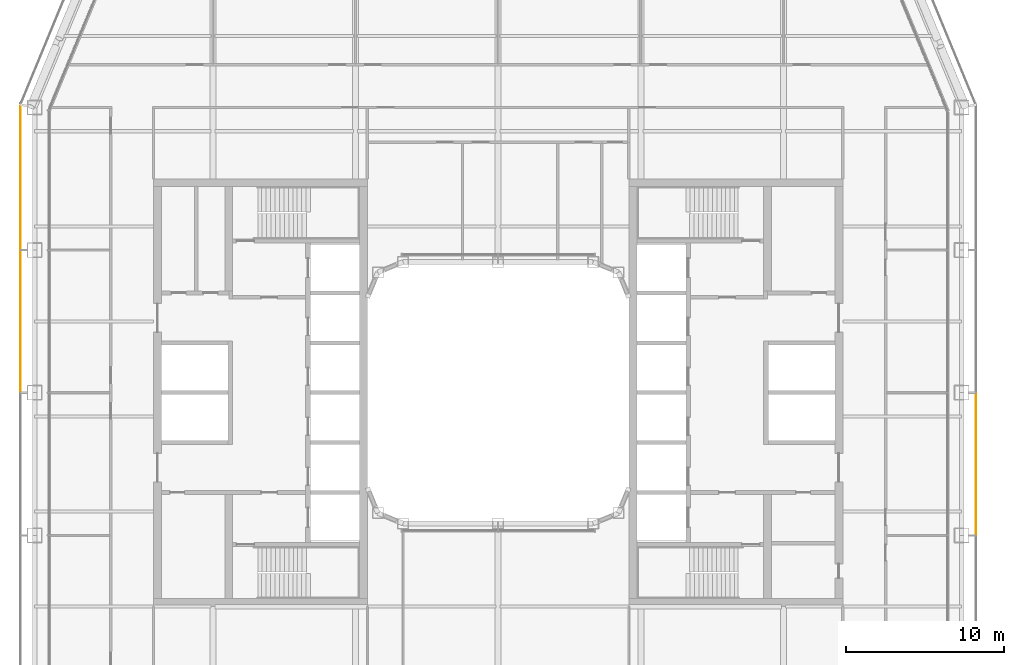
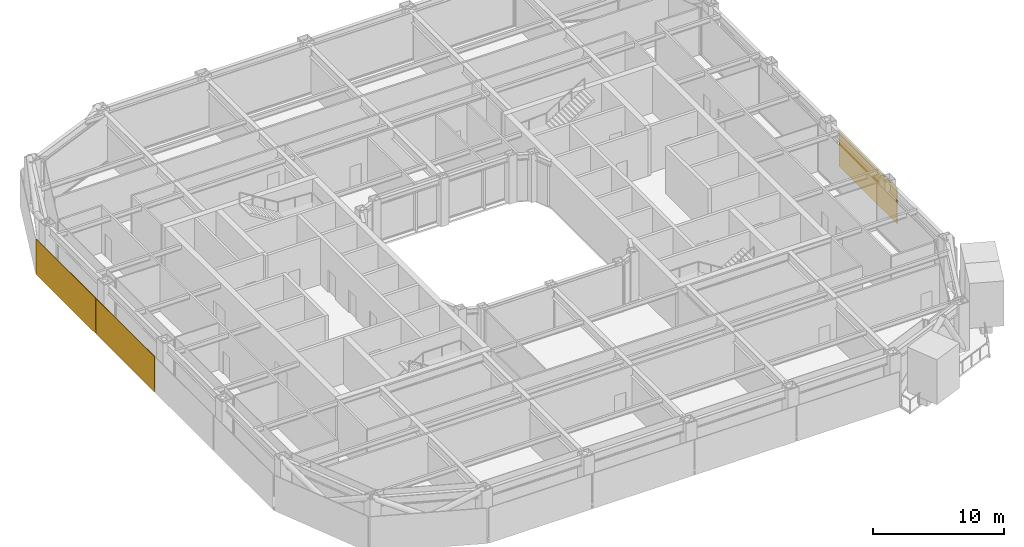
# One storey, part 20 of 23: 3 coverings.
"""IFC4 building model written with IfcOpenShell, lengths in metres."""

from ifc_helpers import new_model, si_unit, direction, frame, origin, origin_2d, place, context, subcontext, project, spatial, rectangle, extrude, material, layer, layer_set, type_object, element, save


model = new_model("IFC4")

# Units and contexts
model_context = context("Model", 3, precision=1e-05, world=origin(), true_north=direction((0.0, 1.0)))
body_context = subcontext(model_context, "Body", "Model", "MODEL_VIEW")
ifc_project = project(units=[si_unit("LENGTHUNIT", "METRE"), si_unit("AREAUNIT", "SQUARE_METRE"), si_unit("VOLUMEUNIT", "CUBIC_METRE"), si_unit("PLANEANGLEUNIT", "RADIAN"), si_unit("MASSUNIT", "GRAM", prefix="KILO")], contexts=[model_context])

# Site, building, storey
site_placement = place(None, origin())
site = spatial("IfcSite", under=ifc_project, at=site_placement, CompositionType="ELEMENT")
building_placement = place(site_placement, origin())
building = spatial("IfcBuilding", under=site, at=building_placement, Name="Siwar Civic Tower", CompositionType="ELEMENT")
storey_placement = place(building_placement, frame((0.0, 0.0, 127.199951171875)))
storey = spatial("IfcBuildingStorey", under=building, at=storey_placement, Name="L27", CompositionType="ELEMENT", Elevation=127.199951171875)

# Coverings
ifc_material_1 = material(Name="Perforated aluminium cassette, pale metal", Category="aluminium")
ifc_layer_1 = layer(ifc_material_1, 0.0400390625)
ifc_layer_set_1 = layer_set([ifc_layer_1], Name="Perforated aluminium cassette, pale metal")
covering_type_1 = type_object("IfcCoveringType", Name="ENV-OUTER SKIN OS-1", PredefinedType="CLADDING", material=ifc_layer_set_1)
covering_1_placement = place(storey_placement, frame((30.14990234375, -4.5, -0.14990234375), z_axis=(0.0, 0.0, 1.0), x_axis=(0.0, 1.0, 0.0)))
element("IfcCovering", 1, at=covering_1_placement, inside=storey, type_object=covering_type_1, Name="OUTER SKIN OS-1 E 2", PredefinedType="CLADDING", context=body_context, shape_type="SweptSolid", body=[
    extrude(rectangle(XDim=8.89990234375, YDim=0.0400390625, at=origin_2d()), origin(), (0.0, 0.0, 1.0), 3.300048828125),
])
ifc_material_2 = material(Name="Perforated aluminium cassette, pale metal", Category="aluminium")
ifc_layer_2 = layer(ifc_material_2, 0.050048828125)
ifc_layer_set_2 = layer_set([ifc_layer_2], Name="Perforated aluminium cassette, pale metal")
covering_type_2 = type_object("IfcCoveringType", Name="ENV-OUTER SKIN OS-3", PredefinedType="CLADDING", material=ifc_layer_set_2)
covering_2_placement = place(storey_placement, frame((-30.14990234375, 13.57958984375, -0.14990234375), z_axis=(0.0, 0.0, 1.0), x_axis=(0.0, -1.0, 0.0)))
element("IfcCovering", 2, at=covering_2_placement, inside=storey, type_object=covering_type_2, Name="OUTER SKIN OS-3 W 1", PredefinedType="CLADDING", context=body_context, shape_type="SweptSolid", body=[
    extrude(rectangle(XDim=9.05908203125, YDim=0.050048828125, at=origin_2d()), origin(), (0.0, 0.0, 1.0), 3.300048828125),
])
covering_3_placement = place(storey_placement, frame((-30.14990234375, 4.5, -0.14990234375), z_axis=(0.0, 0.0, 1.0), x_axis=(0.0, -1.0, 0.0)))
element("IfcCovering", 3, at=covering_3_placement, inside=storey, type_object=covering_type_2, Name="OUTER SKIN OS-3 W 2", PredefinedType="CLADDING", context=body_context, shape_type="SweptSolid", body=[
    extrude(rectangle(XDim=8.89990234375, YDim=0.050048828125, at=origin_2d()), origin(), (0.0, 0.0, 1.0), 3.300048828125),
])

save(model, "model.ifc")
